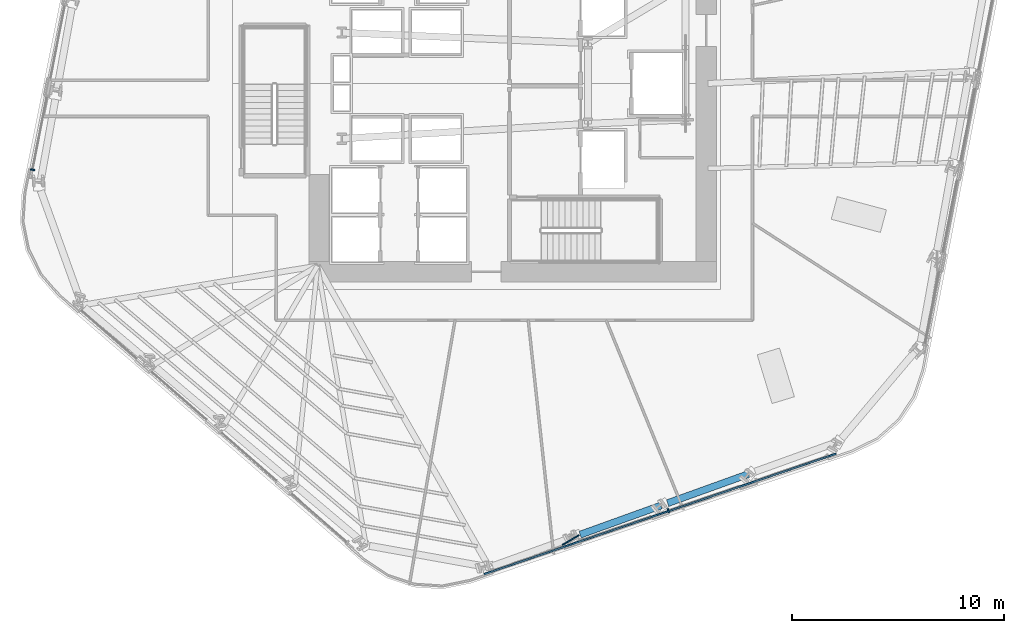
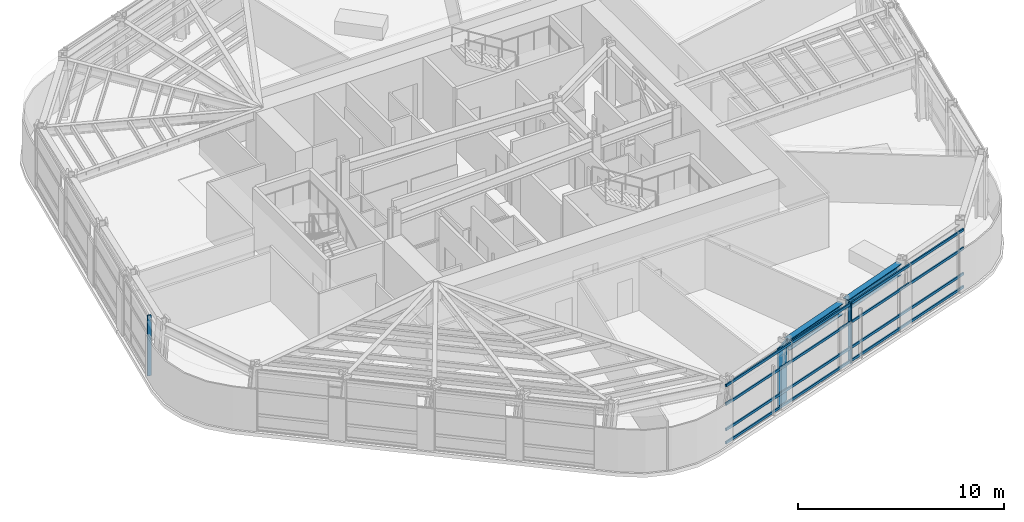
# One storey, part 3 of 16: 7 members, 2 beams, 2 elements without a shape of their own.
"""IFC4 building model written with IfcOpenShell, lengths in metres."""

import ifcopenshell
import ifcopenshell.guid

model = None  # the IFC model being written
_history = None  # IfcOwnerHistory: only IFC2X3 demands one
_inside = {}  # id of a spatial element -> (the spatial element, [elements in it])
_under = {}  # id of a project, library or spatial element -> (it, [spatial elements below it])
_declared = {}  # id of a project -> (the project, [libraries it declares])
_typed = {}  # id of a type object -> (the type object, [elements of that type])
_made_of = {}  # id of a material, layer set ... -> (it, [elements and type objects made of it])


def new_model(schema):
    """Start an empty IFC model of exactly this schema.

    Asked for "IFC4X3", IfcOpenShell would pick the latest addendum, in which some entities
    have other attributes; the version numbers below select the first issue.
    IFC2X3 requires an IfcOwnerHistory on every rooted entity: one is made here for all.
    """
    global model, _history
    if schema == "IFC4X3":
        model = ifcopenshell.file(schema_version=(4, 3, 0, 0))
    else:
        model = ifcopenshell.file(schema=schema)
    _inside.clear()
    _under.clear()
    _declared.clear()
    _typed.clear()
    _made_of.clear()
    _history = None
    if model.schema == "IFC2X3":
        org = make("IfcOrganization", Name="unknown")
        user = make(
            "IfcPersonAndOrganization",
            ThePerson=make("IfcPerson", FamilyName="unknown"),
            TheOrganization=org,
        )
        app = make(
            "IfcApplication",
            ApplicationDeveloper=org,
            Version="unknown",
            ApplicationFullName="unknown",
            ApplicationIdentifier="unknown",
        )
        _history = make(
            "IfcOwnerHistory",
            OwningUser=user,
            OwningApplication=app,
            ChangeAction="ADDED",
            CreationDate=0,
        )
    return model


def make(cls, **values):
    """One entity of the class cls with the attributes given. An attribute that is None is left unset."""
    return model.create_entity(
        cls, **{name: value for name, value in values.items() if value is not None}
    )


def rooted(cls, **values):
    """An entity with a GlobalId (a new one), such as an element, a storey or a relation."""
    return make(cls, GlobalId=ifcopenshell.guid.new(), OwnerHistory=_history, **values)


def si_unit(unit_type, name, prefix=None):
    """IfcSIUnit, for example si_unit("LENGTHUNIT", "METRE", prefix="MILLI")."""
    return make("IfcSIUnit", UnitType=unit_type, Prefix=prefix, Name=name)


def assignment(units):
    """IfcUnitAssignment: the units of a project."""
    return None if units is None else make("IfcUnitAssignment", Units=units)


def point(xyz):
    """IfcCartesianPoint."""
    return None if xyz is None else make("IfcCartesianPoint", Coordinates=xyz)


def direction(xyz):
    """IfcDirection."""
    return None if xyz is None else make("IfcDirection", DirectionRatios=xyz)


def frame(location, z_axis=None, x_axis=None):
    """IfcAxis2Placement3D, a coordinate frame: its origin and axes. An axis left out is left unset."""
    return make(
        "IfcAxis2Placement3D",
        Location=point(location),
        Axis=direction(z_axis),
        RefDirection=direction(x_axis),
    )


def frame_2d(location, x_axis=None):
    """IfcAxis2Placement2D, a coordinate frame in the plane: its origin and x axis."""
    return make(
        "IfcAxis2Placement2D", Location=point(location), RefDirection=direction(x_axis)
    )


def origin():
    """The frame at (0, 0, 0) with its axes left unset."""
    return frame((0.0, 0.0, 0.0))


def origin_2d():
    """The frame at (0, 0) in the plane with its x axis left unset."""
    return frame_2d((0.0, 0.0))


def place(relative_to, where):
    """IfcLocalPlacement: puts the frame where relative to a parent placement (None: the world)."""
    return make(
        "IfcLocalPlacement", PlacementRelTo=relative_to, RelativePlacement=where
    )


def context(
    kind, dimensions, precision=None, world=None, true_north=None, identifier=None
):
    """IfcGeometricRepresentationContext, for example the 3D "Model" context."""
    return make(
        "IfcGeometricRepresentationContext",
        ContextIdentifier=identifier,
        ContextType=kind,
        CoordinateSpaceDimension=dimensions,
        Precision=precision,
        WorldCoordinateSystem=world,
        TrueNorth=true_north,
    )


def subcontext(parent, identifier, kind, view, scale=None):
    """IfcGeometricRepresentationSubContext, for example "Body" below "Model"."""
    return make(
        "IfcGeometricRepresentationSubContext",
        ContextIdentifier=identifier,
        ContextType=kind,
        ParentContext=parent,
        TargetScale=scale,
        TargetView=view,
    )


def project(units=None, contexts=None):
    """IfcProject with its units and contexts."""
    return rooted(
        "IfcProject",
        Name="project",
        RepresentationContexts=contexts,
        UnitsInContext=assignment(units),
    )


def spatial(cls, under=None, at=None, **own):
    """A site, building, storey or space (cls), placed at a placement, below another one or the project."""
    s = rooted(cls, ObjectPlacement=at, **own)
    if under is not None:
        _under.setdefault(under.id(), (under, []))[1].append(s)
    return s


def profile(cls, at=None, kind="AREA", **sizes):
    """A parametric profile (cls). Its sizes go by their IFC names, for example OverallWidth=200.0."""
    return make(cls, ProfileType=kind, Position=at, **sizes)


def rectangle(**sizes):
    """IfcRectangleProfileDef."""
    return profile("IfcRectangleProfileDef", **sizes)


def i_section(**sizes):
    """IfcIShapeProfileDef."""
    return profile("IfcIShapeProfileDef", **sizes)


def extrude(swept, where, along, depth):
    """IfcExtrudedAreaSolid: the profile swept, set in the frame where, extruded along a direction by depth."""
    return make(
        "IfcExtrudedAreaSolid",
        SweptArea=swept,
        Position=where,
        ExtrudedDirection=direction(along),
        Depth=depth,
    )


def shape(context_of_items, identifier, shape_type, items):
    """IfcShapeRepresentation: the items that make up one representation, for example the "Body"."""
    return make(
        "IfcShapeRepresentation",
        ContextOfItems=context_of_items,
        RepresentationIdentifier=identifier,
        RepresentationType=shape_type,
        Items=items,
    )


def material(Name=None, Category=None):
    """IfcMaterial."""
    return make("IfcMaterial", Name=Name, Category=Category)


def layer(
    of_material, thickness, ventilated=None, Name=None, Category=None, Priority=None
):
    """IfcMaterialLayer: one layer of a wall or slab, of a material (None: an air gap)."""
    return make(
        "IfcMaterialLayer",
        Material=of_material,
        LayerThickness=thickness,
        IsVentilated=ventilated,
        Name=Name,
        Category=Category,
        Priority=Priority,
    )


def layer_set(layers, Name=None):
    """IfcMaterialLayerSet."""
    return make("IfcMaterialLayerSet", MaterialLayers=layers, LayerSetName=Name)


def material_profile(
    of_material, cross_section, Name=None, Category=None, Priority=None
):
    """IfcMaterialProfile: a cross section and its material."""
    return make(
        "IfcMaterialProfile",
        Name=Name,
        Material=of_material,
        Profile=cross_section,
        Priority=Priority,
        Category=Category,
    )


def profile_set(profiles, Name=None, composite=None):
    """IfcMaterialProfileSet."""
    return make(
        "IfcMaterialProfileSet",
        Name=Name,
        MaterialProfiles=profiles,
        CompositeProfile=composite,
    )


def made_of(thing, what):
    """Note that an element or type object is made of a material, layer set ...; save() writes the relation."""
    if what is not None:
        _made_of.setdefault(what.id(), (what, []))[1].append(thing)
    return thing


def type_object(cls, material=None, **own):
    """A type object (cls), such as IfcWallType, which elements share."""
    return made_of(rooted(cls, **own), material)


def element(
    cls,
    number,
    at=None,
    inside=None,
    cuts=None,
    type_object=None,
    material=None,
    context=None,
    identifier="Body",
    shape_type=None,
    held_by="IfcProductDefinitionShape",
    body=None,
    shapes=None,
    **own,
):
    """One element of the class cls, such as IfcWall. Its Tag is "e" and its number.

    at: its placement. inside: the storey or other place that contains it. cuts: it is an
    opening in that element (IfcRelVoidsElement). A single representation is given by context,
    identifier, shape_type and body (its items); several are given by shapes. held_by: the class
    of the entity that holds the representations. save() writes the other relations.
    """
    e = rooted(cls, Tag="e%d" % number, ObjectPlacement=at, **own)
    if body is not None:
        shapes = [shape(context, identifier, shape_type, body)]
    if shapes is not None:
        e.Representation = make(held_by, Representations=shapes)
    if inside is not None:
        _inside.setdefault(inside.id(), (inside, []))[1].append(e)
    if cuts is not None:
        rooted(
            "IfcRelVoidsElement", RelatingBuildingElement=cuts, RelatedOpeningElement=e
        )
    if type_object is not None:
        _typed.setdefault(type_object.id(), (type_object, []))[1].append(e)
    return made_of(e, material)


def aggregate(whole, parts):
    """IfcRelAggregates: a whole, such as a stair, and the parts it consists of."""
    return rooted("IfcRelAggregates", RelatingObject=whole, RelatedObjects=parts)


def save(model, path):
    """Write the relations noted so far, then the file.

    IfcRelAggregates (storeys below a building ...), IfcRelContainedInSpatialStructure (elements
    in a storey), IfcRelDefinesByType, IfcRelAssociatesMaterial and IfcRelDeclares: one each for
    every whole, place, type object, material and project.
    """
    for whole, parts in _under.values():
        aggregate(whole, parts)
    for where, things in _inside.values():
        rooted(
            "IfcRelContainedInSpatialStructure",
            RelatedElements=things,
            RelatingStructure=where,
        )
    for kind, things in _typed.values():
        rooted("IfcRelDefinesByType", RelatedObjects=things, RelatingType=kind)
    for what, things in _made_of.values():
        rooted("IfcRelAssociatesMaterial", RelatedObjects=things, RelatingMaterial=what)
    for by, libraries in _declared.values():
        rooted("IfcRelDeclares", RelatingContext=by, RelatedDefinitions=libraries)
    model.write(path)


model = new_model("IFC4")

# Units and contexts
model_context = context("Model", 3, precision=1e-05, world=origin(), true_north=direction((0.0, 1.0)))
body_context = subcontext(model_context, "Body", "Model", "MODEL_VIEW")
ifc_project = project(units=[si_unit("LENGTHUNIT", "METRE"), si_unit("AREAUNIT", "SQUARE_METRE"), si_unit("VOLUMEUNIT", "CUBIC_METRE"), si_unit("PLANEANGLEUNIT", "RADIAN"), si_unit("MASSUNIT", "GRAM", prefix="KILO")], contexts=[model_context])

# Site, building, storey
site_placement = place(None, origin())
site = spatial("IfcSite", under=ifc_project, at=site_placement, CompositionType="ELEMENT")
building_placement = place(site_placement, origin())
building = spatial("IfcBuilding", under=site, at=building_placement, Name="Valkerne Bourse Tower", CompositionType="ELEMENT")
storey_placement = place(building_placement, frame((0.0, 0.0, 104.800048828125)))
storey = spatial("IfcBuildingStorey", under=building, at=storey_placement, Name="L26", CompositionType="ELEMENT", Elevation=104.800048828125)

# Beams
ifc_material_1 = material(Name="Steel ASTM A992", Category="steel")
ifc_material_profile_1 = material_profile(ifc_material_1, i_section(OverallWidth=0.330078125, OverallDepth=0.647705078125, WebThickness=0.0205078125, FlangeThickness=0.037109375, FilletRadius=0.020263671875, at=origin_2d()), Name="W24X192")
ifc_profile_set_1 = profile_set([ifc_material_profile_1], Name="Steel ASTM A992")
beam_type = type_object("IfcBeamType", Name="BM-W24X192", PredefinedType="SPANDREL", material=ifc_profile_set_1)
beam_1_placement = place(storey_placement, frame((49.979248046875, 5.73193359375, 3.256103515625), z_axis=(0.940890491056, 0.338710914853, 0.0), x_axis=(-0.338710914853, 0.940890491056, 0.0)))
element("IfcBeam", 1, at=beam_1_placement, inside=storey, type_object=beam_type, Name="L26 Hexagonal Spandrel Ring Beam 21", PredefinedType="SPANDREL", context=body_context, shape_type="SweptSolid", body=[
    extrude(i_section(OverallWidth=0.330078125, OverallDepth=0.647705078125, WebThickness=0.0205078125, FlangeThickness=0.037109375, FilletRadius=0.020263671875, at=origin_2d()), origin(), (0.0, 0.0, 1.0), 4.04296875),
])
beam_2_placement = place(storey_placement, frame((54.10302734375, 7.216552734375, 3.256103515625), z_axis=(0.940878174555, 0.33874512638, 0.0), x_axis=(-0.33874512638, 0.940878174555, 0.0)))
element("IfcBeam", 2, at=beam_2_placement, inside=storey, type_object=beam_type, Name="L26 Hexagonal Spandrel Ring Beam 22", PredefinedType="SPANDREL", context=body_context, shape_type="SweptSolid", body=[
    extrude(i_section(OverallWidth=0.330078125, OverallDepth=0.647705078125, WebThickness=0.0205078125, FlangeThickness=0.037109375, FilletRadius=0.020263671875, at=origin_2d()), origin(), (0.0, 0.0, 1.0), 4.043212890625),
])

# Curtain wall, member
ifc_material_2 = material(Name="Aluminium AA 6063-T6", Category="aluminium")
ifc_layer = layer(ifc_material_2, 0.22998046875)
ifc_layer_set = layer_set([ifc_layer], Name="Aluminium AA 6063-T6")
curtain_wall_type = type_object("IfcCurtainWallType", Name="CW-02", PredefinedType="NOTDEFINED", material=ifc_layer_set)
curtain_wall_1_placement = place(storey_placement, origin())
curtain_wall_1 = element("IfcCurtainWall", 3, at=curtain_wall_1_placement, inside=storey, type_object=curtain_wall_type, Name="L26 Hexagonal Stick Curtain Wall Face 3", PredefinedType="NOTDEFINED")
ifc_material_profile_2 = material_profile(ifc_material_2, rectangle(XDim=0.074951171875, YDim=0.199951171875, at=origin_2d()), Name="CWM-75X200")
ifc_profile_set_2 = profile_set([ifc_material_profile_2], Name="Aluminium AA 6063-T6")
member_type_1 = type_object("IfcMemberType", Name="CW-MUL-220X75", PredefinedType="MULLION", material=ifc_profile_set_2)
member_1_placement = place(storey_placement, frame((24.166259765625, 22.935302734375, 0.0), z_axis=(0.0, 0.0, 1.0), x_axis=(-0.192538959662, -0.981289329919, 0.0)))
member_1 = element("IfcMember", 4, at=member_1_placement, type_object=member_type_1, Name="CW-L26-F3 Jamb Mullion 03B", PredefinedType="MULLION", context=body_context, shape_type="SweptSolid", body=[
    extrude(rectangle(XDim=0.074951171875, YDim=0.199951171875, at=origin_2d()), origin(), (0.0, 0.0, 1.0), 3.579833984375),
])
aggregate(curtain_wall_1, [member_1])

# Curtain wall, members
curtain_wall_2_placement = place(storey_placement, origin())
curtain_wall_2 = element("IfcCurtainWall", 5, at=curtain_wall_2_placement, inside=storey, type_object=curtain_wall_type, Name="L26 Hexagonal Stick Curtain Wall Face 5", PredefinedType="NOTDEFINED")
member_2_placement = place(storey_placement, frame((54.13818359375, 6.863525390625, 0.0), z_axis=(0.0, 0.0, 1.0), x_axis=(0.946087647887, 0.323910732325, 0.0)))
member_2 = element("IfcMember", 6, at=member_2_placement, type_object=member_type_1, Name="CW-L26-F5 Jamb Mullion 02A", PredefinedType="MULLION", context=body_context, shape_type="SweptSolid", body=[
    extrude(rectangle(XDim=0.074951171875, YDim=0.199951171875, at=origin_2d()), origin(), (0.0, 0.0, 1.0), 3.579833984375),
])
ifc_material_profile_3 = material_profile(ifc_material_2, rectangle(XDim=0.074951171875, YDim=0.14990234375, at=origin_2d()), Name="CWT-75X150")
ifc_profile_set_3 = profile_set([ifc_material_profile_3], Name="Aluminium AA 6063-T6")
member_type_2 = type_object("IfcMemberType", Name="CW-TRN-180X65", PredefinedType="USERDEFINED", material=ifc_profile_set_3)
member_3_placement = place(storey_placement, frame((45.453857421875, 3.869140625, 0.119873046875), z_axis=(0.946085619817, 0.32391665591, 0.0), x_axis=(-0.32391665591, 0.946085619817, 0.0)))
member_3 = element("IfcMember", 7, at=member_3_placement, type_object=member_type_2, Name="CW-L26-F5 Continuous Face Transom 1", ObjectType="TRANSOM", PredefinedType="USERDEFINED", context=body_context, shape_type="SweptSolid", body=[
    extrude(rectangle(XDim=0.074951171875, YDim=0.14990234375, at=origin_2d()), origin(), (0.0, 0.0, 1.0), 17.5322265625),
])
member_4_placement = place(storey_placement, frame((45.453857421875, 3.869140625, 0.89990234375), z_axis=(0.946085619817, 0.32391665591, 0.0), x_axis=(-0.32391665591, 0.946085619817, 0.0)))
member_4 = element("IfcMember", 8, at=member_4_placement, type_object=member_type_2, Name="CW-L26-F5 Continuous Face Transom 2", ObjectType="TRANSOM", PredefinedType="USERDEFINED", context=body_context, shape_type="SweptSolid", body=[
    extrude(rectangle(XDim=0.074951171875, YDim=0.14990234375, at=origin_2d()), origin(), (0.0, 0.0, 1.0), 17.5322265625),
])
member_5_placement = place(storey_placement, frame((45.453857421875, 3.869140625, 2.39990234375), z_axis=(0.946085619817, 0.32391665591, 0.0), x_axis=(-0.32391665591, 0.946085619817, 0.0)))
member_5 = element("IfcMember", 9, at=member_5_placement, type_object=member_type_2, Name="CW-L26-F5 Continuous Face Transom 3", ObjectType="TRANSOM", PredefinedType="USERDEFINED", context=body_context, shape_type="SweptSolid", body=[
    extrude(rectangle(XDim=0.074951171875, YDim=0.14990234375, at=origin_2d()), origin(), (0.0, 0.0, 1.0), 17.5322265625),
])
member_6_placement = place(storey_placement, frame((45.453857421875, 3.869140625, 3.5), z_axis=(0.946085619817, 0.32391665591, 0.0), x_axis=(-0.32391665591, 0.946085619817, 0.0)))
member_6 = element("IfcMember", 10, at=member_6_placement, type_object=member_type_2, Name="CW-L26-F5 Continuous Face Transom 4", ObjectType="TRANSOM", PredefinedType="USERDEFINED", context=body_context, shape_type="SweptSolid", body=[
    extrude(rectangle(XDim=0.074951171875, YDim=0.14990234375, at=origin_2d()), origin(), (0.0, 0.0, 1.0), 17.5322265625),
])
aggregate(curtain_wall_2, [member_3, member_4, member_5, member_6, member_2])

# Member
ifc_material_3 = material(Name="Bronze Anodised Aluminium AA 6063-T6", Category="aluminium")
ifc_material_profile_4 = material_profile(ifc_material_3, rectangle(XDim=0.070068359375, YDim=0.89990234375, at=origin_2d()), Name="FIN-70X900")
ifc_profile_set_4 = profile_set([ifc_material_profile_4], Name="Bronze Anodised Aluminium AA 6063-T6")
member_type_3 = type_object("IfcMemberType", Name="FIN-SOLAR-900", PredefinedType="USERDEFINED", material=ifc_profile_set_4)
member_7_placement = place(storey_placement, frame((49.535888671875, 5.47802734375, 0.00390625), z_axis=(0.0, 0.0, 1.0), x_axis=(0.511431815856, -0.859323860794, 0.0)))
element("IfcMember", 11, at=member_7_placement, inside=storey, type_object=member_type_3, Name="L26 Bronze Anodised Solar Fin F5-01", ObjectType="SOLAR_FIN", PredefinedType="USERDEFINED", context=body_context, shape_type="SweptSolid", body=[
    extrude(rectangle(XDim=0.070068359375, YDim=0.89990234375, at=origin_2d()), origin(), (0.0, 0.0, 1.0), 3.572021484375),
])

save(model, "model.ifc")
